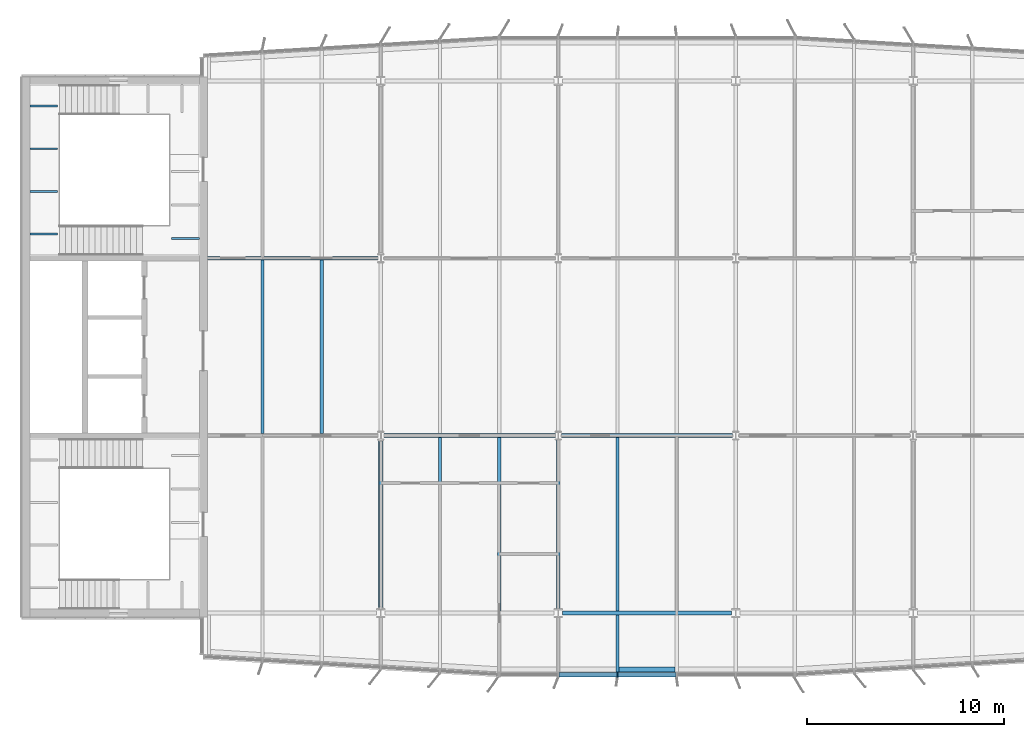
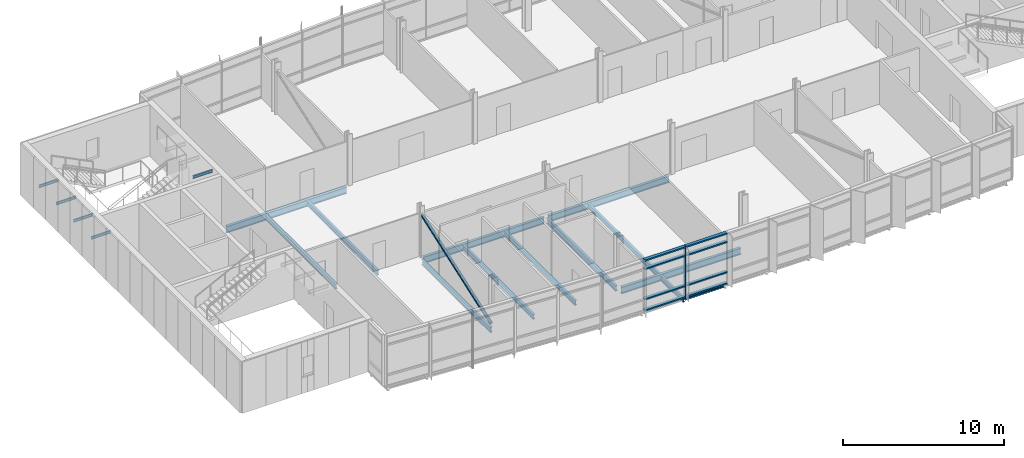
# One storey, part 3 of 18: 18 beams, 10 members, 1 element without a shape of its own.
"""IFC4 building model written with IfcOpenShell, lengths in metres."""

from ifc_helpers import new_model, si_unit, direction, frame, origin, origin_2d, place, context, subcontext, project, spatial, rectangle, hollow_circle, i_section, extrude, material, material_profile, profile_set, type_object, element, aggregate, save


model = new_model("IFC4")

# Units and contexts
model_context = context("Model", 3, precision=1e-05, world=origin(), true_north=direction((0.0, 1.0)))
body_context = subcontext(model_context, "Body", "Model", "MODEL_VIEW")
ifc_project = project(units=[si_unit("LENGTHUNIT", "METRE"), si_unit("AREAUNIT", "SQUARE_METRE"), si_unit("VOLUMEUNIT", "CUBIC_METRE"), si_unit("PLANEANGLEUNIT", "RADIAN"), si_unit("MASSUNIT", "GRAM", prefix="KILO")], contexts=[model_context])

# Site, building, storey
site_placement = place(None, origin())
site = spatial("IfcSite", under=ifc_project, at=site_placement, CompositionType="ELEMENT")
building_placement = place(site_placement, origin())
building = spatial("IfcBuilding", under=site, at=building_placement, Name="Azimuth Sports and Learning Centre", CompositionType="ELEMENT")
storey_placement = place(building_placement, frame((0.0, 0.0, 55.800048828125)))
storey = spatial("IfcBuildingStorey", under=building, at=storey_placement, Name="L12", CompositionType="ELEMENT", Elevation=55.800048828125)

# Beams
ifc_material_1 = material(Name="Steel S355", Category="steel")
ifc_material_profile_1 = material_profile(ifc_material_1, i_section(OverallWidth=0.10009765625, OverallDepth=0.199951171875, WebThickness=0.005615234375, FlangeThickness=0.008544921875, FilletRadius=0.011962890625, at=origin_2d()), Name="IPE 200")
ifc_profile_set_1 = profile_set([ifc_material_profile_1], Name="Steel S355")
beam_type_1 = type_object("IfcBeamType", Name="Beam IPE 200", PredefinedType="BEAM", material=ifc_profile_set_1)
for number, where, z_axis, x_axis, name in (
    (1, (54.199951171875, 109.23876953125, 1.349853515625), (1.0, 0.0, 0.0), (0.0, 1.0, 0.0), "Landing bracket W2 L12 300"),
    (2, (54.199951171875, 111.396240234375, 1.349853515625), (1.0, 0.0, 0.0), (0.0, 1.0, 0.0), "Landing bracket W2 L12 301"),
    (3, (54.199951171875, 113.5537109375, 1.349853515625), (1.0, 0.0, 0.0), (0.0, 1.0, 0.0), "Landing bracket W2 L12 302"),
    (4, (54.199951171875, 115.711181640625, 1.349853515625), (1.0, 0.0, 0.0), (0.0, 1.0, 0.0), "Landing bracket W2 L12 303"),
    (5, (62.800048828125, 109.00830078125, 3.599853515625), (-1.0, 0.0, 0.0), (0.0, -1.0, 0.0), "Landing bracket W2 L12 304"),
):
    element("IfcBeam", number, at=place(storey_placement, frame(where, z_axis=z_axis, x_axis=x_axis)), inside=storey, type_object=beam_type_1, Name=name, PredefinedType="BEAM", context=body_context, shape_type="SweptSolid", body=[
        extrude(i_section(OverallWidth=0.10009765625, OverallDepth=0.199951171875, WebThickness=0.005615234375, FlangeThickness=0.008544921875, FilletRadius=0.011962890625, at=origin_2d()), origin(), (0.0, 0.0, 1.0), 1.41015625),
    ])
ifc_material_2 = material(Name="Steel S355", Category="steel")
ifc_material_profile_2 = material_profile(ifc_material_2, i_section(OverallWidth=0.179931640625, OverallDepth=0.39990234375, WebThickness=0.008544921875, FlangeThickness=0.013427734375, FilletRadius=0.02099609375, at=origin_2d()), Name="IPE 400")
ifc_profile_set_2 = profile_set([ifc_material_profile_2], Name="Steel S355")
beam_type_2 = type_object("IfcBeamType", Name="Beam IPE 400", PredefinedType="BEAM", material=ifc_profile_set_2)
for number, where, z_axis, x_axis, name in (
    (6, (72.0, 90.2275390625, -0.330078125), (0.0, 1.0, 0.0), (-1.0, 0.0, 0.0), "Tower tie"),
    (7, (81.0, 90.2275390625, -0.330078125), (0.0, 1.0, 0.0), (-1.0, 0.0, 0.0), "Tower tie"),
):
    element("IfcBeam", number, at=place(storey_placement, frame(where, z_axis=z_axis, x_axis=x_axis)), inside=storey, type_object=beam_type_2, Name=name, PredefinedType="BEAM", context=body_context, shape_type="SweptSolid", body=[
        extrude(i_section(OverallWidth=0.179931640625, OverallDepth=0.39990234375, WebThickness=0.008544921875, FlangeThickness=0.013427734375, FilletRadius=0.02099609375, at=origin_2d()), origin(), (0.0, 0.0, 1.0), 8.556396484375),
    ])
ifc_material_3 = material(Name="Steel S355", Category="steel")
ifc_material_profile_3 = material_profile(ifc_material_3, i_section(OverallWidth=0.199951171875, OverallDepth=0.5, WebThickness=0.01025390625, FlangeThickness=0.01611328125, FilletRadius=0.02099609375, at=origin_2d()), Name="IPE 500")
ifc_profile_set_3 = profile_set([ifc_material_profile_3], Name="Steel S355")
beam_type_3 = type_object("IfcBeamType", Name="Beam IPE 500", PredefinedType="BEAM", material=ifc_profile_set_3)
beam_1_placement = place(storey_placement, frame((81.208984375, 90.0, -0.380126953125), z_axis=(1.0, 0.0, 0.0), x_axis=(0.0, 1.0, 0.0)))
element("IfcBeam", 8, at=beam_1_placement, inside=storey, type_object=beam_type_3, Name="Tower girder L12", PredefinedType="BEAM", context=body_context, shape_type="SweptSolid", body=[
    extrude(i_section(OverallWidth=0.199951171875, OverallDepth=0.5, WebThickness=0.01025390625, FlangeThickness=0.01611328125, FilletRadius=0.02099609375, at=origin_2d()), origin(), (0.0, 0.0, 1.0), 8.58203125),
])
for number, where, z_axis, x_axis, name in (
    (9, (72.153564453125, 99.0, -0.380126953125), (1.0, 0.0, 0.0), (0.0, 1.0, 0.0), "Tower girder L12"),
    (10, (81.153564453125, 99.0, -0.380126953125), (1.0, 0.0, 0.0), (0.0, 1.0, 0.0), "Tower girder L12"),
):
    element("IfcBeam", number, at=place(storey_placement, frame(where, z_axis=z_axis, x_axis=x_axis)), inside=storey, type_object=beam_type_3, Name=name, PredefinedType="BEAM", context=body_context, shape_type="SweptSolid", body=[
        extrude(i_section(OverallWidth=0.199951171875, OverallDepth=0.5, WebThickness=0.01025390625, FlangeThickness=0.01611328125, FilletRadius=0.02099609375, at=origin_2d()), origin(), (0.0, 0.0, 1.0), 8.69287109375),
    ])
beam_2_placement = place(storey_placement, frame((63.199951171875, 108.0, -0.380126953125), z_axis=(1.0, 0.0, 0.0), x_axis=(0.0, 1.0, 0.0)))
element("IfcBeam", 11, at=beam_2_placement, inside=storey, type_object=beam_type_3, Name="Tower girder L12", PredefinedType="BEAM", context=body_context, shape_type="SweptSolid", body=[
    extrude(i_section(OverallWidth=0.199951171875, OverallDepth=0.5, WebThickness=0.01025390625, FlangeThickness=0.01611328125, FilletRadius=0.02099609375, at=origin_2d()), origin(), (0.0, 0.0, 1.0), 8.646484375),
])

# Member
ifc_material_4 = material(Name="Steel S355", Category="steel")
ifc_material_profile_4 = material_profile(ifc_material_4, hollow_circle(Radius=0.122314453125, WallThickness=0.012451171875, at=origin_2d()), Name="CHS 244.5x12.5")
ifc_profile_set_4 = profile_set([ifc_material_profile_4], Name="Steel S355")
member_type_1 = type_object("IfcMemberType", Name="Brace CHS 244.5x12.5", PredefinedType="BRACE", material=ifc_profile_set_4)
member_1_placement = place(storey_placement, frame((72.0, 90.24853515625, 0.169677734375), z_axis=(0.0, 0.942103788853, 0.33532141451), x_axis=(-1.0, 0.0, 0.0)))
element("IfcMember", 12, at=member_1_placement, inside=storey, type_object=member_type_1, Name="Tower brace 9 L12", PredefinedType="BRACE", context=body_context, shape_type="SweptSolid", body=[
    extrude(hollow_circle(Radius=0.122314453125, WallThickness=0.012451171875, at=origin_2d()), origin(), (0.0, 0.0, 1.0), 9.03759765625),
])

# Beams
ifc_material_5 = material(Name="Steel S355", Category="steel")
ifc_material_profile_5 = material_profile(ifc_material_5, i_section(OverallWidth=0.169921875, OverallDepth=0.360107421875, WebThickness=0.008056640625, FlangeThickness=0.0126953125, FilletRadius=0.01806640625, at=origin_2d()), Name="IPE 360")
ifc_profile_set_5 = profile_set([ifc_material_profile_5], Name="Steel S355")
beam_type_4 = type_object("IfcBeamType", Name="Cantilever stub IPE 360", PredefinedType="JOIST", material=ifc_profile_set_5)
beam_3_placement = place(storey_placement, frame((84.0, 89.89990234375, -0.31005859375), z_axis=(0.0, -1.0, 0.0), x_axis=(1.0, 0.0, 0.0)))
element("IfcBeam", 13, at=beam_3_placement, inside=storey, type_object=beam_type_4, Name="Tower cantilever stub", PredefinedType="JOIST", context=body_context, shape_type="SweptSolid", body=[
    extrude(i_section(OverallWidth=0.169921875, OverallDepth=0.360107421875, WebThickness=0.008056640625, FlangeThickness=0.0126953125, FilletRadius=0.01806640625, at=origin_2d()), origin(), (0.0, 0.0, 1.0), 2.8798828125),
])
ifc_material_6 = material(Name="Steel S355", Category="steel")
ifc_material_profile_6 = material_profile(ifc_material_6, i_section(OverallWidth=0.260009765625, OverallDepth=0.25, WebThickness=0.007568359375, FlangeThickness=0.012451171875, FilletRadius=0.02392578125, at=origin_2d()), Name="HEA 260")
ifc_profile_set_6 = profile_set([ifc_material_profile_6], Name="Steel S355")
beam_type_5 = type_object("IfcBeamType", Name="Edge beam HEA 260", PredefinedType="SPANDREL", material=ifc_profile_set_6)
beam_4_placement = place(storey_placement, frame((84.0849609375, 87.14990234375, -0.255126953125), z_axis=(1.0, 0.0, 0.0), x_axis=(0.0, 1.0, 0.0)))
element("IfcBeam", 14, at=beam_4_placement, inside=storey, type_object=beam_type_5, Name="Tower edge beam", PredefinedType="SPANDREL", context=body_context, shape_type="SweptSolid", body=[
    extrude(i_section(OverallWidth=0.260009765625, OverallDepth=0.25, WebThickness=0.007568359375, FlangeThickness=0.012451171875, FilletRadius=0.02392578125, at=origin_2d()), origin(), (0.0, 0.0, 1.0), 2.830078125),
])
ifc_material_7 = material(Name="Steel S355", Category="steel")
ifc_material_profile_7 = material_profile(ifc_material_7, i_section(OverallWidth=0.169921875, OverallDepth=0.360107421875, WebThickness=0.008056640625, FlangeThickness=0.0126953125, FilletRadius=0.01806640625, at=origin_2d()), Name="IPE 360")
ifc_profile_set_7 = profile_set([ifc_material_profile_7], Name="Steel S355")
beam_type_6 = type_object("IfcBeamType", Name="Joist IPE 360", PredefinedType="JOIST", material=ifc_profile_set_7)
for number, where, z_axis, x_axis, name in (
    (15, (66.0, 99.10009765625, -0.31005859375), (0.0, 1.0, 0.0), (-1.0, 0.0, 0.0), "Tower joist"),
    (16, (69.0, 99.10009765625, -0.31005859375), (0.0, 1.0, 0.0), (-1.0, 0.0, 0.0), "Tower joist"),
    (17, (75.0, 90.10009765625, -0.31005859375), (0.0, 1.0, 0.0), (-1.0, 0.0, 0.0), "Tower joist"),
    (18, (78.0, 90.10009765625, -0.31005859375), (0.0, 1.0, 0.0), (-1.0, 0.0, 0.0), "Tower joist"),
    (19, (84.0, 90.10009765625, -0.31005859375), (0.0, 1.0, 0.0), (-1.0, 0.0, 0.0), "Tower joist"),
):
    element("IfcBeam", number, at=place(storey_placement, frame(where, z_axis=z_axis, x_axis=x_axis)), inside=storey, type_object=beam_type_6, Name=name, PredefinedType="JOIST", context=body_context, shape_type="SweptSolid", body=[
        extrude(i_section(OverallWidth=0.169921875, OverallDepth=0.360107421875, WebThickness=0.008056640625, FlangeThickness=0.0126953125, FilletRadius=0.01806640625, at=origin_2d()), origin(), (0.0, 0.0, 1.0), 8.7998046875),
    ])

# Curtain wall, members
ifc_material_8 = material(Name="Aluminium and glass", Category="aluminium")
curtain_wall_type = type_object("IfcCurtainWallType", Name="Curtain wall tower south 240", PredefinedType="NOTDEFINED", material=ifc_material_8)
curtain_wall_placement = place(storey_placement, origin())
curtain_wall = element("IfcCurtainWall", 20, at=curtain_wall_placement, inside=storey, type_object=curtain_wall_type, Name="Curtain wall CW12-003", PredefinedType="NOTDEFINED")
ifc_material_9 = material(Name="Aluminium", Category="aluminium")
ifc_material_profile_8 = material_profile(ifc_material_9, rectangle(XDim=0.239990234375, YDim=0.070068359375, at=origin_2d()), Name="Mullion 70x240")
ifc_profile_set_8 = profile_set([ifc_material_profile_8], Name="Aluminium")
member_type_2 = type_object("IfcMemberType", Name="Mullion 70x240", PredefinedType="MULLION", material=ifc_profile_set_8)
member_2_placement = place(storey_placement, frame((84.0, 86.8798828125, 0.0), z_axis=(0.0, 0.0, 1.0), x_axis=(0.0, 1.0, 0.0)))
member_2 = element("IfcMember", 21, at=member_2_placement, type_object=member_type_2, Name="CW12-003 mullion 3", PredefinedType="MULLION", context=body_context, shape_type="SweptSolid", body=[
    extrude(rectangle(XDim=0.239990234375, YDim=0.070068359375, at=origin_2d()), origin(), (0.0, 0.0, 1.0), 3.89990234375),
])
ifc_material_10 = material(Name="Aluminium", Category="aluminium")
ifc_material_profile_9 = material_profile(ifc_material_10, rectangle(XDim=0.239990234375, YDim=0.10009765625, at=origin_2d()), Name="Transom 100x240")
ifc_profile_set_9 = profile_set([ifc_material_profile_9], Name="Aluminium")
member_type_3 = type_object("IfcMemberType", Name="Transom 100x240", PredefinedType="USERDEFINED", material=ifc_profile_set_9)
member_3_placement = place(storey_placement, frame((81.034912109375, 86.8798828125, 0.050048828125), z_axis=(1.0, 0.0, 0.0), x_axis=(0.0, 1.0, 0.0)))
member_3 = element("IfcMember", 22, at=member_3_placement, type_object=member_type_3, Name="CW12-003 transom 2.1", ObjectType="TRANSOM", PredefinedType="USERDEFINED", context=body_context, shape_type="SweptSolid", body=[
    extrude(rectangle(XDim=0.239990234375, YDim=0.10009765625, at=origin_2d()), origin(), (0.0, 0.0, 1.0), 2.93017578125),
])
member_4_placement = place(storey_placement, frame((81.034912109375, 86.8798828125, 0.89990234375), z_axis=(1.0, 0.0, 0.0), x_axis=(0.0, 1.0, 0.0)))
member_4 = element("IfcMember", 23, at=member_4_placement, type_object=member_type_3, Name="CW12-003 transom 2.2", ObjectType="TRANSOM", PredefinedType="USERDEFINED", context=body_context, shape_type="SweptSolid", body=[
    extrude(rectangle(XDim=0.239990234375, YDim=0.10009765625, at=origin_2d()), origin(), (0.0, 0.0, 1.0), 2.93017578125),
])
member_5_placement = place(storey_placement, frame((81.034912109375, 86.8798828125, 3.199951171875), z_axis=(1.0, 0.0, 0.0), x_axis=(0.0, 1.0, 0.0)))
member_5 = element("IfcMember", 24, at=member_5_placement, type_object=member_type_3, Name="CW12-003 transom 2.3", ObjectType="TRANSOM", PredefinedType="USERDEFINED", context=body_context, shape_type="SweptSolid", body=[
    extrude(rectangle(XDim=0.239990234375, YDim=0.10009765625, at=origin_2d()), origin(), (0.0, 0.0, 1.0), 2.93017578125),
])
member_6_placement = place(storey_placement, frame((81.034912109375, 86.8798828125, 3.849853515625), z_axis=(1.0, 0.0, 0.0), x_axis=(0.0, 1.0, 0.0)))
member_6 = element("IfcMember", 25, at=member_6_placement, type_object=member_type_3, Name="CW12-003 transom 2.4", ObjectType="TRANSOM", PredefinedType="USERDEFINED", context=body_context, shape_type="SweptSolid", body=[
    extrude(rectangle(XDim=0.239990234375, YDim=0.10009765625, at=origin_2d()), origin(), (0.0, 0.0, 1.0), 2.93017578125),
])
member_7_placement = place(storey_placement, frame((84.034912109375, 86.8798828125, 0.050048828125), z_axis=(1.0, 0.0, 0.0), x_axis=(0.0, 1.0, 0.0)))
member_7 = element("IfcMember", 26, at=member_7_placement, type_object=member_type_3, Name="CW12-003 transom 3.1", ObjectType="TRANSOM", PredefinedType="USERDEFINED", context=body_context, shape_type="SweptSolid", body=[
    extrude(rectangle(XDim=0.239990234375, YDim=0.10009765625, at=origin_2d()), origin(), (0.0, 0.0, 1.0), 2.93017578125),
])
member_8_placement = place(storey_placement, frame((84.034912109375, 86.8798828125, 0.89990234375), z_axis=(1.0, 0.0, 0.0), x_axis=(0.0, 1.0, 0.0)))
member_8 = element("IfcMember", 27, at=member_8_placement, type_object=member_type_3, Name="CW12-003 transom 3.2", ObjectType="TRANSOM", PredefinedType="USERDEFINED", context=body_context, shape_type="SweptSolid", body=[
    extrude(rectangle(XDim=0.239990234375, YDim=0.10009765625, at=origin_2d()), origin(), (0.0, 0.0, 1.0), 2.93017578125),
])
member_9_placement = place(storey_placement, frame((84.034912109375, 86.8798828125, 3.199951171875), z_axis=(1.0, 0.0, 0.0), x_axis=(0.0, 1.0, 0.0)))
member_9 = element("IfcMember", 28, at=member_9_placement, type_object=member_type_3, Name="CW12-003 transom 3.3", ObjectType="TRANSOM", PredefinedType="USERDEFINED", context=body_context, shape_type="SweptSolid", body=[
    extrude(rectangle(XDim=0.239990234375, YDim=0.10009765625, at=origin_2d()), origin(), (0.0, 0.0, 1.0), 2.93017578125),
])
member_10_placement = place(storey_placement, frame((84.034912109375, 86.8798828125, 3.849853515625), z_axis=(1.0, 0.0, 0.0), x_axis=(0.0, 1.0, 0.0)))
member_10 = element("IfcMember", 29, at=member_10_placement, type_object=member_type_3, Name="CW12-003 transom 3.4", ObjectType="TRANSOM", PredefinedType="USERDEFINED", context=body_context, shape_type="SweptSolid", body=[
    extrude(rectangle(XDim=0.239990234375, YDim=0.10009765625, at=origin_2d()), origin(), (0.0, 0.0, 1.0), 2.93017578125),
])
aggregate(curtain_wall, [member_2, member_3, member_4, member_5, member_6, member_7, member_8, member_9, member_10])

save(model, "model.ifc")
